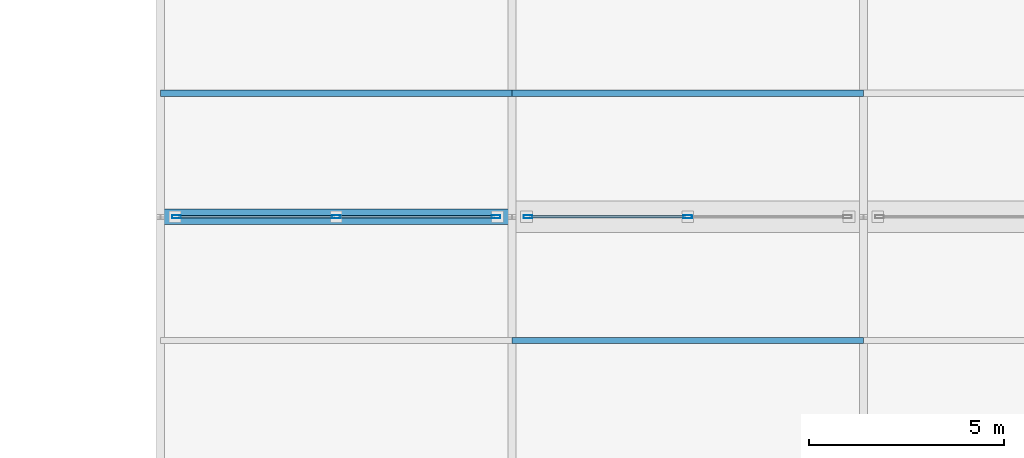
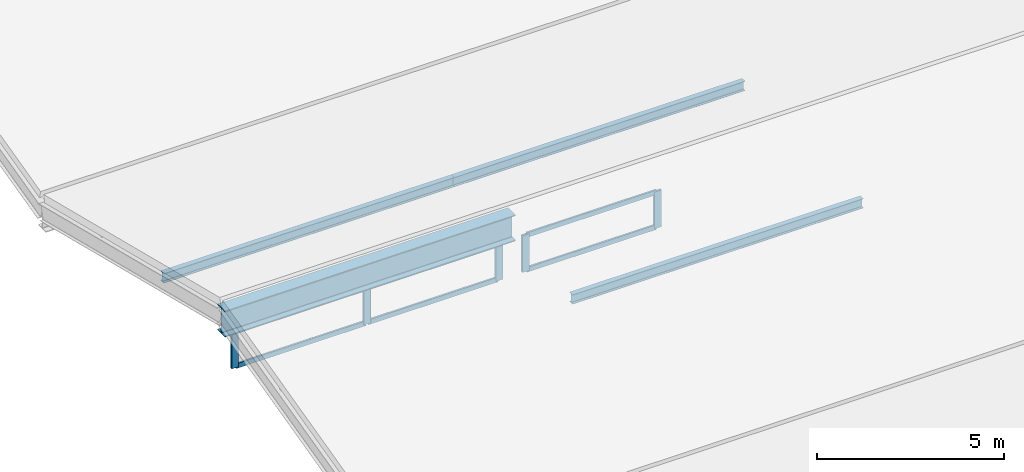
# One storey, part 3 of 36: 14 members, 1 beam, 2 elements without a shape of their own.
"""IFC4 building model written with IfcOpenShell, lengths in metres."""

from ifc_helpers import new_model, si_unit, direction, frame, origin, origin_2d, place, context, subcontext, project, spatial, hollow_rectangle, i_section, extrude, material, layer, layer_set, material_profile, profile_set, type_object, element, aggregate, save


model = new_model("IFC4")

# Units and contexts
model_context = context("Model", 3, precision=1e-05, world=origin(), true_north=direction((0.0, 1.0)))
body_context = subcontext(model_context, "Body", "Model", "MODEL_VIEW")
ifc_project = project(units=[si_unit("LENGTHUNIT", "METRE"), si_unit("AREAUNIT", "SQUARE_METRE"), si_unit("VOLUMEUNIT", "CUBIC_METRE"), si_unit("PLANEANGLEUNIT", "RADIAN"), si_unit("MASSUNIT", "GRAM", prefix="KILO")], contexts=[model_context])

# Site, building, storey
site_placement = place(None, origin())
site = spatial("IfcSite", under=ifc_project, at=site_placement, CompositionType="ELEMENT")
building_placement = place(site_placement, origin())
building = spatial("IfcBuilding", under=site, at=building_placement, Name="Qorvath Tower", CompositionType="ELEMENT")
storey_placement = place(building_placement, frame((0.0, 0.0, 27.0)))
storey = spatial("IfcBuildingStorey", under=building, at=storey_placement, Name="L05", CompositionType="ELEMENT", Elevation=27.0)

# Beam
ifc_material_1 = material(Name="Steel ASTM A992 Grade 50", Category="steel")
ifc_material_profile_1 = material_profile(ifc_material_1, i_section(OverallWidth=0.39892578125, OverallDepth=0.85498046875, WebThickness=0.018310546875, FlangeThickness=0.029296875, FilletRadius=0.02001953125, at=origin_2d()), Name="W33x201")
ifc_profile_set_1 = profile_set([ifc_material_profile_1], Name="Steel ASTM A992 Grade 50")
beam_type = type_object("IfcBeamType", Name="BM-FG2", PredefinedType="BEAM", material=ifc_profile_set_1)
beam_placement = place(storey_placement, frame((32.39990234375, -9.60009765625, 1.666015625), z_axis=(1.0, 0.0, 0.0), x_axis=(0.0, 1.0, 0.0)))
element("IfcBeam", 1, at=beam_placement, inside=storey, type_object=beam_type, Name="Library Roof Fold Girder 4-W", PredefinedType="BEAM", context=body_context, shape_type="SweptSolid", body=[
    extrude(i_section(OverallWidth=0.39892578125, OverallDepth=0.85498046875, WebThickness=0.018310546875, FlangeThickness=0.029296875, FilletRadius=0.02001953125, at=origin_2d()), origin(), (0.0, 0.0, 1.0), 9.0),
])

# Curtain wall, members
ifc_material_2 = material(Name="Anodised aluminium and triple low-E glass", Category="aluminium")
ifc_layer = layer(ifc_material_2, 0.179931640625)
ifc_layer_set = layer_set([ifc_layer], Name="CW-SYS-7")
curtain_wall_type = type_object("IfcCurtainWallType", Name="CW-SYS-7", PredefinedType="NOTDEFINED", material=ifc_layer_set)
curtain_wall_1_placement = place(storey_placement, origin())
curtain_wall_1 = element("IfcCurtainWall", 2, at=curtain_wall_1_placement, inside=storey, type_object=curtain_wall_type, Name="Curtain Wall CW-7 CW-LIB-SKY-2-1", PredefinedType="NOTDEFINED")
ifc_material_3 = material(Name="Anodised aluminium 6063-T6", Category="aluminium")
ifc_material_profile_2 = material_profile(ifc_material_3, hollow_rectangle(XDim=0.080078125, YDim=0.219970703125, WallThickness=0.00439453125, InnerFilletRadius=0.00439453125, OuterFilletRadius=0.009033203125, at=origin_2d()), Name="CWM LIB 220x80")
ifc_profile_set_2 = profile_set([ifc_material_profile_2], Name="Anodised aluminium 6063-T6")
member_type_1 = type_object("IfcMemberType", Name="CWM-LIB", PredefinedType="MULLION", material=ifc_profile_set_2)
member_1_placement = place(storey_placement, frame((32.81005859375, -9.60009765625, 0.0), z_axis=(0.0, 0.0, 1.0), x_axis=(0.0, 1.0, 0.0)))
member_1 = element("IfcMember", 3, at=member_1_placement, type_object=member_type_1, Name="CW-7 mullion 1", PredefinedType="MULLION", context=body_context, shape_type="SweptSolid", body=[
    extrude(hollow_rectangle(XDim=0.080078125, YDim=0.219970703125, WallThickness=0.00439453125, InnerFilletRadius=0.00439453125, OuterFilletRadius=0.009033203125, at=origin_2d()), origin(), (0.0, 0.0, 1.0), 1.199951171875),
])
member_2_placement = place(storey_placement, frame((36.89990234375, -9.60009765625, 0.0), z_axis=(0.0, 0.0, 1.0), x_axis=(0.0, 1.0, 0.0)))
member_2 = element("IfcMember", 4, at=member_2_placement, type_object=member_type_1, Name="CW-7 mullion 2", PredefinedType="MULLION", context=body_context, shape_type="SweptSolid", body=[
    extrude(hollow_rectangle(XDim=0.080078125, YDim=0.219970703125, WallThickness=0.00439453125, InnerFilletRadius=0.00439453125, OuterFilletRadius=0.009033203125, at=origin_2d()), origin(), (0.0, 0.0, 1.0), 1.199951171875),
])
member_3_placement = place(storey_placement, frame((40.989990234375, -9.60009765625, 0.0), z_axis=(0.0, 0.0, 1.0), x_axis=(0.0, 1.0, 0.0)))
member_3 = element("IfcMember", 5, at=member_3_placement, type_object=member_type_1, Name="CW-7 mullion 3", PredefinedType="MULLION", context=body_context, shape_type="SweptSolid", body=[
    extrude(hollow_rectangle(XDim=0.080078125, YDim=0.219970703125, WallThickness=0.00439453125, InnerFilletRadius=0.00439453125, OuterFilletRadius=0.009033203125, at=origin_2d()), origin(), (0.0, 0.0, 1.0), 1.199951171875),
])

curtain_wall_2_placement = place(storey_placement, origin())
curtain_wall_2 = element("IfcCurtainWall", 6, at=curtain_wall_2_placement, inside=storey, type_object=curtain_wall_type, Name="Curtain Wall CW-7 CW-LIB-SKY-2-2", PredefinedType="NOTDEFINED")
member_4_placement = place(storey_placement, frame((41.81005859375, -9.60009765625, 0.0), z_axis=(0.0, 0.0, 1.0), x_axis=(0.0, 1.0, 0.0)))
member_4 = element("IfcMember", 7, at=member_4_placement, type_object=member_type_1, Name="CW-7 mullion 1", PredefinedType="MULLION", context=body_context, shape_type="SweptSolid", body=[
    extrude(hollow_rectangle(XDim=0.080078125, YDim=0.219970703125, WallThickness=0.00439453125, InnerFilletRadius=0.00439453125, OuterFilletRadius=0.009033203125, at=origin_2d()), origin(), (0.0, 0.0, 1.0), 1.199951171875),
])
member_5_placement = place(storey_placement, frame((45.89990234375, -9.60009765625, 0.0), z_axis=(0.0, 0.0, 1.0), x_axis=(0.0, 1.0, 0.0)))
member_5 = element("IfcMember", 8, at=member_5_placement, type_object=member_type_1, Name="CW-7 mullion 2", PredefinedType="MULLION", context=body_context, shape_type="SweptSolid", body=[
    extrude(hollow_rectangle(XDim=0.080078125, YDim=0.219970703125, WallThickness=0.00439453125, InnerFilletRadius=0.00439453125, OuterFilletRadius=0.009033203125, at=origin_2d()), origin(), (0.0, 0.0, 1.0), 1.199951171875),
])

# Member
ifc_material_4 = material(Name="Anodised aluminium 6063-T6", Category="aluminium")
ifc_material_profile_3 = material_profile(ifc_material_4, hollow_rectangle(XDim=0.06494140625, YDim=0.159912109375, WallThickness=0.00341796875, InnerFilletRadius=0.00341796875, OuterFilletRadius=0.007080078125, at=origin_2d()), Name="CWT 160x65")
ifc_profile_set_3 = profile_set([ifc_material_profile_3], Name="Anodised aluminium 6063-T6")
member_type_2 = type_object("IfcMemberType", Name="CWT-160", PredefinedType="USERDEFINED", material=ifc_profile_set_3)
member_6_placement = place(storey_placement, frame((32.85009765625, -9.60009765625, 0.032470703125), z_axis=(1.0, 0.0, 0.0), x_axis=(0.0, 1.0, 0.0)))
member_6 = element("IfcMember", 9, at=member_6_placement, type_object=member_type_2, Name="CW-7 transom 1.1", ObjectType="TRANSOM", PredefinedType="USERDEFINED", context=body_context, shape_type="SweptSolid", body=[
    extrude(hollow_rectangle(XDim=0.06494140625, YDim=0.159912109375, WallThickness=0.00341796875, InnerFilletRadius=0.00341796875, OuterFilletRadius=0.007080078125, at=origin_2d()), origin(), (0.0, 0.0, 1.0), 4.010009765625),
])

member_7_placement = place(storey_placement, frame((32.85009765625, -9.60009765625, 1.16748046875), z_axis=(1.0, 0.0, 0.0), x_axis=(0.0, 1.0, 0.0)))
member_7 = element("IfcMember", 10, at=member_7_placement, type_object=member_type_2, Name="CW-7 transom 1.2", ObjectType="TRANSOM", PredefinedType="USERDEFINED", context=body_context, shape_type="SweptSolid", body=[
    extrude(hollow_rectangle(XDim=0.06494140625, YDim=0.159912109375, WallThickness=0.00341796875, InnerFilletRadius=0.00341796875, OuterFilletRadius=0.007080078125, at=origin_2d()), origin(), (0.0, 0.0, 1.0), 4.010009765625),
])

member_8_placement = place(storey_placement, frame((36.93994140625, -9.60009765625, 0.032470703125), z_axis=(1.0, 0.0, 0.0), x_axis=(0.0, 1.0, 0.0)))
member_8 = element("IfcMember", 11, at=member_8_placement, type_object=member_type_2, Name="CW-7 transom 2.1", ObjectType="TRANSOM", PredefinedType="USERDEFINED", context=body_context, shape_type="SweptSolid", body=[
    extrude(hollow_rectangle(XDim=0.06494140625, YDim=0.159912109375, WallThickness=0.00341796875, InnerFilletRadius=0.00341796875, OuterFilletRadius=0.007080078125, at=origin_2d()), origin(), (0.0, 0.0, 1.0), 4.010009765625),
])

member_9_placement = place(storey_placement, frame((36.93994140625, -9.60009765625, 1.16748046875), z_axis=(1.0, 0.0, 0.0), x_axis=(0.0, 1.0, 0.0)))
member_9 = element("IfcMember", 12, at=member_9_placement, type_object=member_type_2, Name="CW-7 transom 2.2", ObjectType="TRANSOM", PredefinedType="USERDEFINED", context=body_context, shape_type="SweptSolid", body=[
    extrude(hollow_rectangle(XDim=0.06494140625, YDim=0.159912109375, WallThickness=0.00341796875, InnerFilletRadius=0.00341796875, OuterFilletRadius=0.007080078125, at=origin_2d()), origin(), (0.0, 0.0, 1.0), 4.010009765625),
])

aggregate(curtain_wall_1, [member_1, member_2, member_3, member_6, member_7, member_8, member_9])

member_10_placement = place(storey_placement, frame((41.85009765625, -9.60009765625, 0.032470703125), z_axis=(1.0, 0.0, 0.0), x_axis=(0.0, 1.0, 0.0)))
member_10 = element("IfcMember", 13, at=member_10_placement, type_object=member_type_2, Name="CW-7 transom 1.1", ObjectType="TRANSOM", PredefinedType="USERDEFINED", context=body_context, shape_type="SweptSolid", body=[
    extrude(hollow_rectangle(XDim=0.06494140625, YDim=0.159912109375, WallThickness=0.00341796875, InnerFilletRadius=0.00341796875, OuterFilletRadius=0.007080078125, at=origin_2d()), origin(), (0.0, 0.0, 1.0), 4.010009765625),
])

member_11_placement = place(storey_placement, frame((41.85009765625, -9.60009765625, 1.16748046875), z_axis=(1.0, 0.0, 0.0), x_axis=(0.0, 1.0, 0.0)))
member_11 = element("IfcMember", 14, at=member_11_placement, type_object=member_type_2, Name="CW-7 transom 1.2", ObjectType="TRANSOM", PredefinedType="USERDEFINED", context=body_context, shape_type="SweptSolid", body=[
    extrude(hollow_rectangle(XDim=0.06494140625, YDim=0.159912109375, WallThickness=0.00341796875, InnerFilletRadius=0.00341796875, OuterFilletRadius=0.007080078125, at=origin_2d()), origin(), (0.0, 0.0, 1.0), 4.010009765625),
])

aggregate(curtain_wall_2, [member_4, member_5, member_10, member_11])

# Members
ifc_material_5 = material(Name="Steel ASTM A992 Grade 50", Category="steel")
ifc_material_profile_4 = material_profile(ifc_material_5, i_section(OverallWidth=0.1650390625, OverallDepth=0.31005859375, WebThickness=0.005859375, FlangeThickness=0.009765625, FilletRadius=0.010009765625, at=origin_2d()), Name="W12x26")
ifc_profile_set_4 = profile_set([ifc_material_profile_4], Name="Steel ASTM A992 Grade 50")
member_type_3 = type_object("IfcMemberType", Name="MEM-PR1", PredefinedType="PURLIN", material=ifc_profile_set_4)
for number, where, z_axis, x_axis, name in (
    (15, (41.39990234375, -12.76806640625, 1.1708984375), (1.0, 0.0, 0.0), (0.0, 1.0, 0.0), "Library Folded Roof Purlin F3-P2-2"),
    (16, (32.39990234375, -6.431884765625, 1.1708984375), (1.0, 0.0, 0.0), (0.0, 1.0, 0.0), "Library Folded Roof Purlin F4-P1-1"),
    (17, (41.39990234375, -6.431884765625, 1.1708984375), (1.0, 0.0, 0.0), (0.0, 1.0, 0.0), "Library Folded Roof Purlin F4-P1-2"),
):
    element("IfcMember", number, at=place(storey_placement, frame(where, z_axis=z_axis, x_axis=x_axis)), inside=storey, type_object=member_type_3, Name=name, PredefinedType="PURLIN", context=body_context, shape_type="SweptSolid", body=[
        extrude(i_section(OverallWidth=0.1650390625, OverallDepth=0.31005859375, WebThickness=0.005859375, FlangeThickness=0.009765625, FilletRadius=0.010009765625, at=origin_2d()), origin(), (0.0, 0.0, 1.0), 9.0),
    ])

save(model, "model.ifc")
